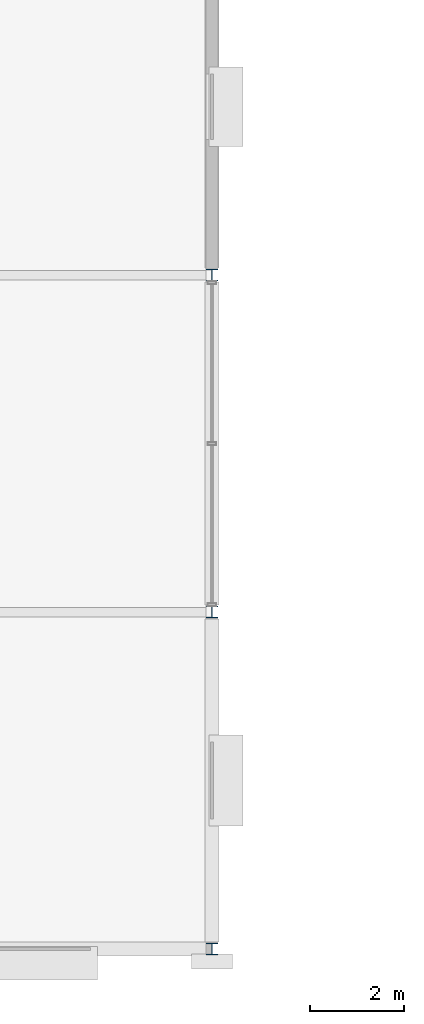
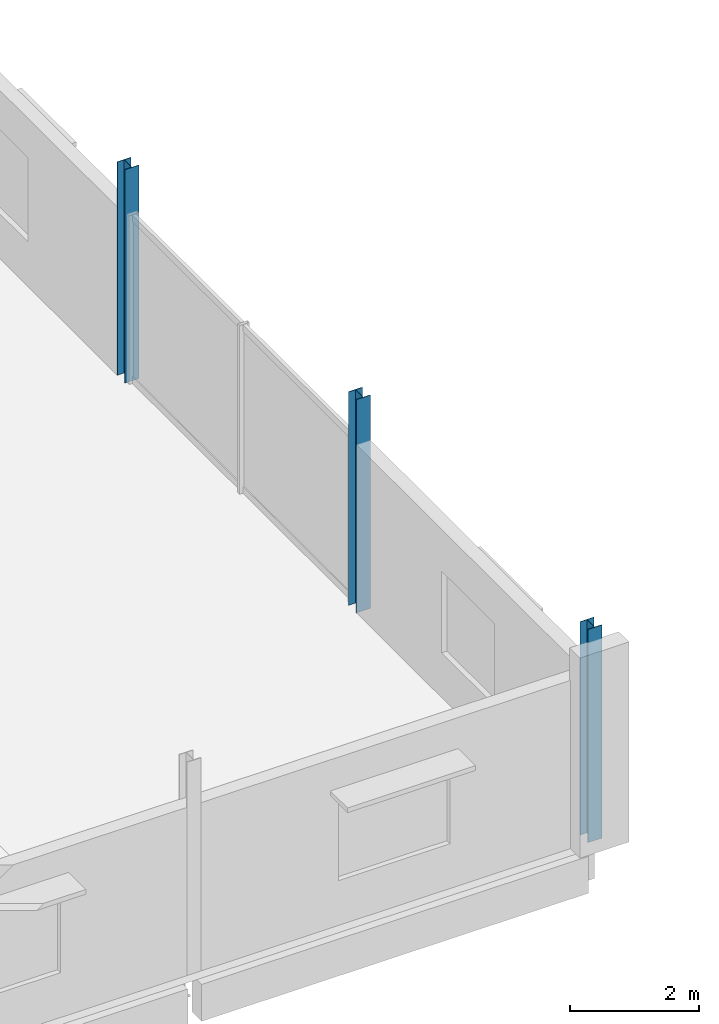
# One storey, part 2 of 107: 3 columns.
"""IFC4 building model written with IfcOpenShell, lengths in metres."""

from ifc_helpers import new_model, si_unit, direction, frame, origin, origin_2d, place, context, subcontext, project, spatial, i_section, extrude, material, material_profile, profile_set, type_object, element, save


model = new_model("IFC4")

# Units and contexts
model_context = context("Model", 3, precision=1e-05, world=origin(), true_north=direction((0.0, 1.0)))
body_context = subcontext(model_context, "Body", "Model", "MODEL_VIEW")
ifc_project = project(units=[si_unit("LENGTHUNIT", "METRE"), si_unit("AREAUNIT", "SQUARE_METRE"), si_unit("VOLUMEUNIT", "CUBIC_METRE"), si_unit("PLANEANGLEUNIT", "RADIAN"), si_unit("MASSUNIT", "GRAM", prefix="KILO")], contexts=[model_context])

# Site, building, storey
site_placement = place(None, origin())
site = spatial("IfcSite", under=ifc_project, at=site_placement, CompositionType="ELEMENT")
building_placement = place(site_placement, origin())
building = spatial("IfcBuilding", under=site, at=building_placement, Name="Kangsadwip Square Police Headquarters", CompositionType="ELEMENT")
storey_placement = place(building_placement, frame((0.0, 0.0, 5.39990234375)))
storey = spatial("IfcBuildingStorey", under=building, at=storey_placement, Name="L01", CompositionType="ELEMENT", Elevation=5.39990234375)

# Columns
ifc_material = material(Name="Structural steel IS 2062 E350 (Grade 350, 350 MPa)", Category="steel")
ifc_material_profile = material_profile(ifc_material, i_section(OverallWidth=0.25, OverallDepth=0.25, WebThickness=0.0087890625, FlangeThickness=0.009765625, at=origin_2d()), Name="ISHB 250")
ifc_profile_set = profile_set([ifc_material_profile], Name="Structural steel IS 2062 E350 (Grade 350, 350 MPa)")
column_type = type_object("IfcColumnType", Name="SteelColIshb250", PredefinedType="COLUMN", material=ifc_profile_set)
for number, where, z_axis, x_axis, name in (
    (1, (28.800048828125, 0.0, 0.0), (0.0, 0.0, 1.0), (1.0, 0.0, 0.0), "Column COL-L01-04-00"),
    (2, (28.800048828125, 7.199951171875, 0.0), (0.0, 0.0, 1.0), (1.0, 0.0, 0.0), "Column COL-L01-04-01"),
    (3, (28.800048828125, 14.39990234375, 0.0), (0.0, 0.0, 1.0), (1.0, 0.0, 0.0), "Column COL-L01-04-02"),
):
    element("IfcColumn", number, at=place(storey_placement, frame(where, z_axis=z_axis, x_axis=x_axis)), inside=storey, type_object=column_type, Name=name, PredefinedType="COLUMN", context=body_context, shape_type="SweptSolid", body=[
        extrude(i_section(OverallWidth=0.25, OverallDepth=0.25, WebThickness=0.0087890625, FlangeThickness=0.009765625, at=origin_2d()), origin(), (0.0, 0.0, 1.0), 4.050048828125),
    ])

save(model, "model.ifc")
